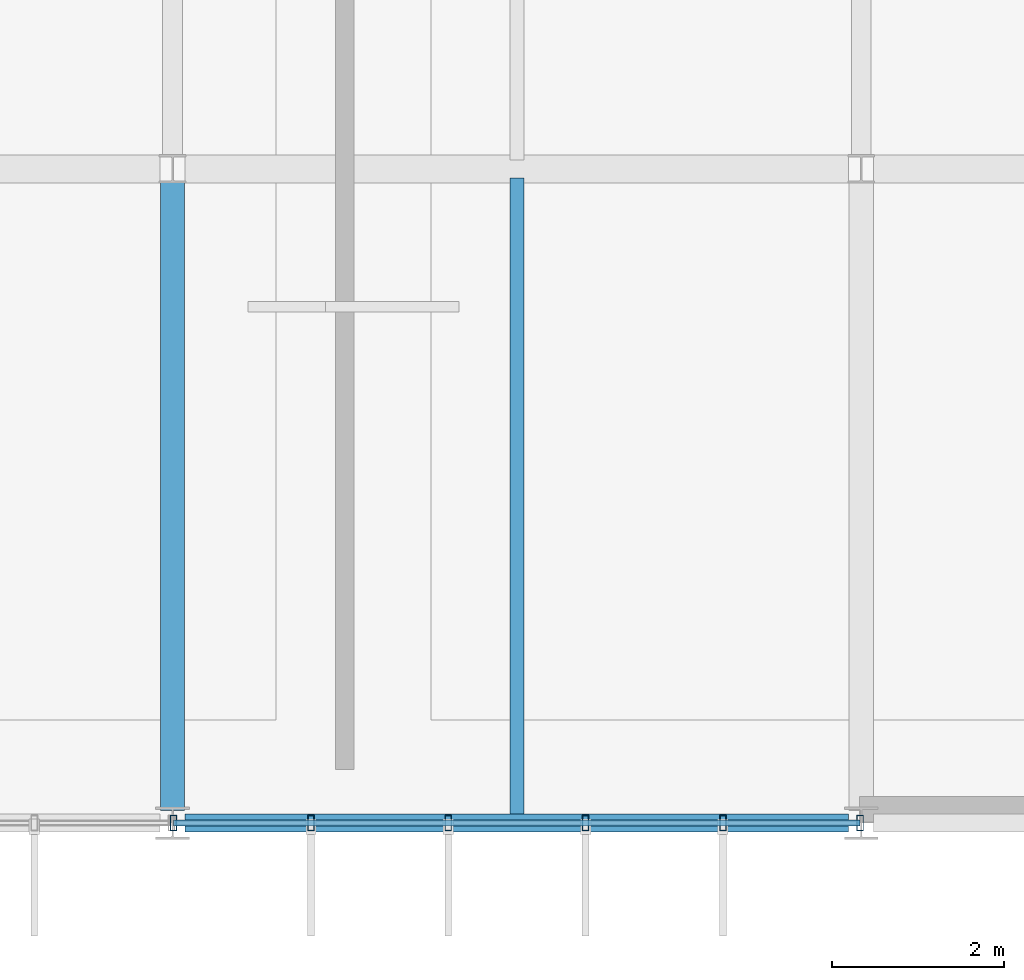
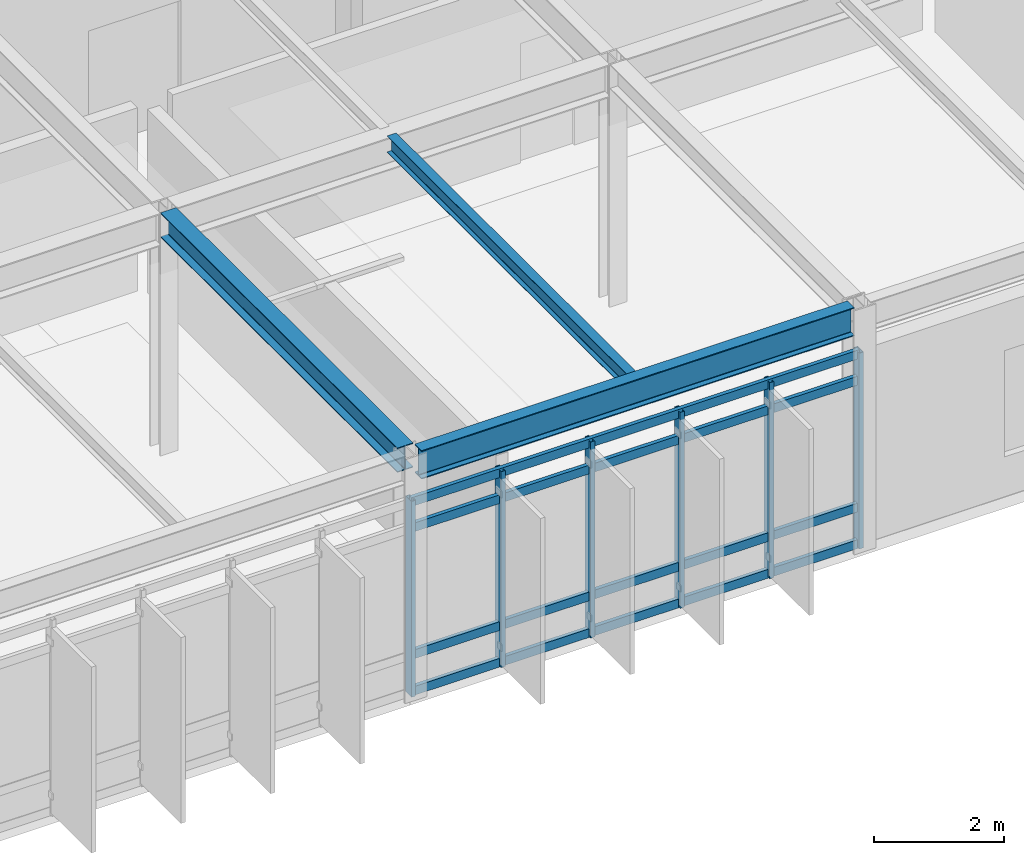
# One storey, part 28 of 100: 10 members, 3 beams, 1 element without a shape of its own.
"""IFC4 building model written with IfcOpenShell, lengths in metres."""

from ifc_helpers import new_model, si_unit, direction, frame, origin, origin_2d, place, context, subcontext, project, spatial, hollow_rectangle, i_section, extrude, material, material_profile, profile_set, type_object, element, aggregate, save


model = new_model("IFC4")

# Units and contexts
model_context = context("Model", 3, precision=1e-05, world=origin(), true_north=direction((0.0, 1.0)))
body_context = subcontext(model_context, "Body", "Model", "MODEL_VIEW")
ifc_project = project(units=[si_unit("LENGTHUNIT", "METRE"), si_unit("AREAUNIT", "SQUARE_METRE"), si_unit("VOLUMEUNIT", "CUBIC_METRE"), si_unit("PLANEANGLEUNIT", "RADIAN"), si_unit("MASSUNIT", "GRAM", prefix="KILO")], contexts=[model_context])

# Site, building, storey
site_placement = place(None, origin())
site = spatial("IfcSite", under=ifc_project, at=site_placement, CompositionType="ELEMENT")
building_placement = place(site_placement, origin())
building = spatial("IfcBuilding", under=site, at=building_placement, Name="Zulena Civic Courthouse", CompositionType="ELEMENT")
storey_placement = place(building_placement, frame((0.0, 0.0, 20.39990234375)))
storey = spatial("IfcBuildingStorey", under=building, at=storey_placement, Name="L04", CompositionType="ELEMENT", Elevation=20.39990234375)

# Curtain wall, members
ifc_material_1 = material(Name="Double-silver low-E laminated solar-control glass", Category="glass")
curtain_wall_type = type_object("IfcCurtainWallType", Name="CW_7976x3690", PredefinedType="USERDEFINED", material=ifc_material_1)
curtain_wall_placement = place(storey_placement, origin())
curtain_wall = element("IfcCurtainWall", 1, at=curtain_wall_placement, inside=storey, type_object=curtain_wall_type, Name="cw:V2:L04:3:3", ObjectType="UNITISED CURTAIN WALL", PredefinedType="USERDEFINED")
ifc_material_2 = material(Name="Bronze anodised thermally broken aluminium AA6063-T6", Category="aluminium")
ifc_material_profile_1 = material_profile(ifc_material_2, hollow_rectangle(XDim=0.074951171875, YDim=0.179931640625, WallThickness=0.0048828125, at=origin_2d()), Name="CWM180X75X5")
ifc_profile_set_1 = profile_set([ifc_material_profile_1], Name="Bronze anodised thermally broken aluminium AA6063-T6")
member_type_1 = type_object("IfcMemberType", Name="CWMullion_180x75", PredefinedType="MULLION", material=ifc_profile_set_1)
member_1_placement = place(storey_placement, frame((43.988037109375, 0.0, 0.0), z_axis=(0.0, 0.0, 1.0), x_axis=(1.0, 0.0, 0.0)))
member_1 = element("IfcMember", 2, at=member_1_placement, type_object=member_type_1, Name="cw:V2:L04:3:3:mull:0", PredefinedType="MULLION", context=body_context, shape_type="SweptSolid", body=[
    extrude(hollow_rectangle(XDim=0.074951171875, YDim=0.179931640625, WallThickness=0.0048828125, at=origin_2d()), origin(), (0.0, 0.0, 1.0), 3.690185546875),
])
member_2_placement = place(storey_placement, frame((42.392822265625, 0.0, 0.0), z_axis=(0.0, 0.0, 1.0), x_axis=(1.0, 0.0, 0.0)))
member_2 = element("IfcMember", 3, at=member_2_placement, type_object=member_type_1, Name="cw:V2:L04:3:3:mull:1", PredefinedType="MULLION", context=body_context, shape_type="SweptSolid", body=[
    extrude(hollow_rectangle(XDim=0.074951171875, YDim=0.179931640625, WallThickness=0.0048828125, at=origin_2d()), origin(), (0.0, 0.0, 1.0), 3.690185546875),
])
member_3_placement = place(storey_placement, frame((40.797607421875, 0.0, 0.0), z_axis=(0.0, 0.0, 1.0), x_axis=(1.0, 0.0, 0.0)))
member_3 = element("IfcMember", 4, at=member_3_placement, type_object=member_type_1, Name="cw:V2:L04:3:3:mull:2", PredefinedType="MULLION", context=body_context, shape_type="SweptSolid", body=[
    extrude(hollow_rectangle(XDim=0.074951171875, YDim=0.179931640625, WallThickness=0.0048828125, at=origin_2d()), origin(), (0.0, 0.0, 1.0), 3.690185546875),
])
member_4_placement = place(storey_placement, frame((39.202392578125, 0.0, 0.0), z_axis=(0.0, 0.0, 1.0), x_axis=(1.0, 0.0, 0.0)))
member_4 = element("IfcMember", 5, at=member_4_placement, type_object=member_type_1, Name="cw:V2:L04:3:3:mull:3", PredefinedType="MULLION", context=body_context, shape_type="SweptSolid", body=[
    extrude(hollow_rectangle(XDim=0.074951171875, YDim=0.179931640625, WallThickness=0.0048828125, at=origin_2d()), origin(), (0.0, 0.0, 1.0), 3.690185546875),
])
member_5_placement = place(storey_placement, frame((37.607177734375, 0.0, 0.0), z_axis=(0.0, 0.0, 1.0), x_axis=(1.0, 0.0, 0.0)))
member_5 = element("IfcMember", 6, at=member_5_placement, type_object=member_type_1, Name="cw:V2:L04:3:3:mull:4", PredefinedType="MULLION", context=body_context, shape_type="SweptSolid", body=[
    extrude(hollow_rectangle(XDim=0.074951171875, YDim=0.179931640625, WallThickness=0.0048828125, at=origin_2d()), origin(), (0.0, 0.0, 1.0), 3.690185546875),
])
member_6_placement = place(storey_placement, frame((36.011962890625, 0.0, 0.0), z_axis=(0.0, 0.0, 1.0), x_axis=(1.0, 0.0, 0.0)))
member_6 = element("IfcMember", 7, at=member_6_placement, type_object=member_type_1, Name="cw:V2:L04:3:3:mull:5", PredefinedType="MULLION", context=body_context, shape_type="SweptSolid", body=[
    extrude(hollow_rectangle(XDim=0.074951171875, YDim=0.179931640625, WallThickness=0.0048828125, at=origin_2d()), origin(), (0.0, 0.0, 1.0), 3.690185546875),
])
ifc_material_profile_2 = material_profile(ifc_material_2, hollow_rectangle(XDim=0.070068359375, YDim=0.1650390625, WallThickness=0.00390625, at=origin_2d()), Name="CWT165X70X4")
ifc_profile_set_2 = profile_set([ifc_material_profile_2], Name="Bronze anodised thermally broken aluminium AA6063-T6")
member_type_2 = type_object("IfcMemberType", Name="CWTransom_165x70", PredefinedType="USERDEFINED", material=ifc_profile_set_2)
member_7_placement = place(storey_placement, frame((43.988037109375, 0.0, 0.06005859375), z_axis=(-1.0, 0.0, 0.0), x_axis=(0.0, -1.0, 0.0)))
member_7 = element("IfcMember", 8, at=member_7_placement, type_object=member_type_2, Name="cw:V2:L04:3:3:tran:0", ObjectType="TRANSOM", PredefinedType="USERDEFINED", context=body_context, shape_type="SweptSolid", body=[
    extrude(hollow_rectangle(XDim=0.070068359375, YDim=0.1650390625, WallThickness=0.00390625, at=origin_2d()), origin(), (0.0, 0.0, 1.0), 7.97607421875),
])
member_8_placement = place(storey_placement, frame((43.988037109375, 0.0, 0.75), z_axis=(-1.0, 0.0, 0.0), x_axis=(0.0, -1.0, 0.0)))
member_8 = element("IfcMember", 9, at=member_8_placement, type_object=member_type_2, Name="cw:V2:L04:3:3:tran:1", ObjectType="TRANSOM", PredefinedType="USERDEFINED", context=body_context, shape_type="SweptSolid", body=[
    extrude(hollow_rectangle(XDim=0.070068359375, YDim=0.1650390625, WallThickness=0.00390625, at=origin_2d()), origin(), (0.0, 0.0, 1.0), 7.97607421875),
])
member_9_placement = place(storey_placement, frame((43.988037109375, 0.0, 3.14013671875), z_axis=(-1.0, 0.0, 0.0), x_axis=(0.0, -1.0, 0.0)))
member_9 = element("IfcMember", 10, at=member_9_placement, type_object=member_type_2, Name="cw:V2:L04:3:3:tran:2", ObjectType="TRANSOM", PredefinedType="USERDEFINED", context=body_context, shape_type="SweptSolid", body=[
    extrude(hollow_rectangle(XDim=0.070068359375, YDim=0.1650390625, WallThickness=0.00390625, at=origin_2d()), origin(), (0.0, 0.0, 1.0), 7.97607421875),
])
member_10_placement = place(storey_placement, frame((43.988037109375, 0.0, 3.630126953125), z_axis=(-1.0, 0.0, 0.0), x_axis=(0.0, -1.0, 0.0)))
member_10 = element("IfcMember", 11, at=member_10_placement, type_object=member_type_2, Name="cw:V2:L04:3:3:tran:3", ObjectType="TRANSOM", PredefinedType="USERDEFINED", context=body_context, shape_type="SweptSolid", body=[
    extrude(hollow_rectangle(XDim=0.070068359375, YDim=0.1650390625, WallThickness=0.00390625, at=origin_2d()), origin(), (0.0, 0.0, 1.0), 7.97607421875),
])
aggregate(curtain_wall, [member_1, member_2, member_3, member_4, member_5, member_6, member_7, member_8, member_9, member_10])

# Beams
ifc_material_3 = material(Name="Steel ASTM A992 Grade 50", Category="steel")
ifc_material_profile_3 = material_profile(ifc_material_3, i_section(OverallWidth=0.1650390625, OverallDepth=0.31005859375, WebThickness=0.005859375, FlangeThickness=0.009765625, FilletRadius=0.009765625, at=origin_2d()), Name="W12X26")
ifc_profile_set_3 = profile_set([ifc_material_profile_3], Name="Steel ASTM A992 Grade 50")
beam_type_1 = type_object("IfcBeamType", Name="Joist_W12X26", PredefinedType="JOIST", material=ifc_profile_set_3)
beam_1_placement = place(storey_placement, frame((40.0, 0.10498046875, 4.440185546875), z_axis=(0.0, 1.0, 0.0), x_axis=(-1.0, 0.0, 0.0)))
element("IfcBeam", 12, at=beam_1_placement, inside=storey, type_object=beam_type_1, Name="joist:V2:L04:40.00:0.0_7.6", PredefinedType="JOIST", context=body_context, shape_type="SweptSolid", body=[
    extrude(i_section(OverallWidth=0.1650390625, OverallDepth=0.31005859375, WebThickness=0.005859375, FlangeThickness=0.009765625, FilletRadius=0.009765625, at=origin_2d()), origin(), (0.0, 0.0, 1.0), 7.39013671875),
])
ifc_material_profile_4 = material_profile(ifc_material_3, i_section(OverallWidth=0.280029296875, OverallDepth=0.462890625, WebThickness=0.0107421875, FlangeThickness=0.017333984375, FilletRadius=0.01025390625, at=origin_2d()), Name="W18X76")
ifc_profile_set_4 = profile_set([ifc_material_profile_4], Name="Steel ASTM A992 Grade 50")
beam_type_2 = type_object("IfcBeamType", Name="Spandrel_W18X76", PredefinedType="SPANDREL", material=ifc_profile_set_4)
beam_2_placement = place(storey_placement, frame((36.0, 0.14501953125, 4.363525390625), z_axis=(0.0, 1.0, 0.0), x_axis=(-1.0, 0.0, 0.0)))
element("IfcBeam", 13, at=beam_2_placement, inside=storey, type_object=beam_type_2, Name="beam:Y:V2:L04:36.0:0.0_7.6", PredefinedType="SPANDREL", context=body_context, shape_type="SweptSolid", body=[
    extrude(i_section(OverallWidth=0.280029296875, OverallDepth=0.462890625, WebThickness=0.0107421875, FlangeThickness=0.017333984375, FilletRadius=0.01025390625, at=origin_2d()), origin(), (0.0, 0.0, 1.0), 7.31005859375),
])
ifc_material_profile_5 = material_profile(ifc_material_3, i_section(OverallWidth=0.2099609375, OverallDepth=0.537109375, WebThickness=0.010986328125, FlangeThickness=0.017333984375, FilletRadius=0.0126953125, at=origin_2d()), Name="W21X68")
ifc_profile_set_5 = profile_set([ifc_material_profile_5], Name="Steel ASTM A992 Grade 50")
beam_type_3 = type_object("IfcBeamType", Name="Spandrel_W21X68", PredefinedType="SPANDREL", material=ifc_profile_set_5)
beam_3_placement = place(storey_placement, frame((36.14501953125, 0.0, 4.32666015625), z_axis=(1.0, 0.0, 0.0), x_axis=(0.0, 1.0, 0.0)))
element("IfcBeam", 14, at=beam_3_placement, inside=storey, type_object=beam_type_3, Name="beam:X:V2:L04:0.0:36.0_44.0", PredefinedType="SPANDREL", context=body_context, shape_type="SweptSolid", body=[
    extrude(i_section(OverallWidth=0.2099609375, OverallDepth=0.537109375, WebThickness=0.010986328125, FlangeThickness=0.017333984375, FilletRadius=0.0126953125, at=origin_2d()), origin(), (0.0, 0.0, 1.0), 7.7099609375),
])

save(model, "model.ifc")
